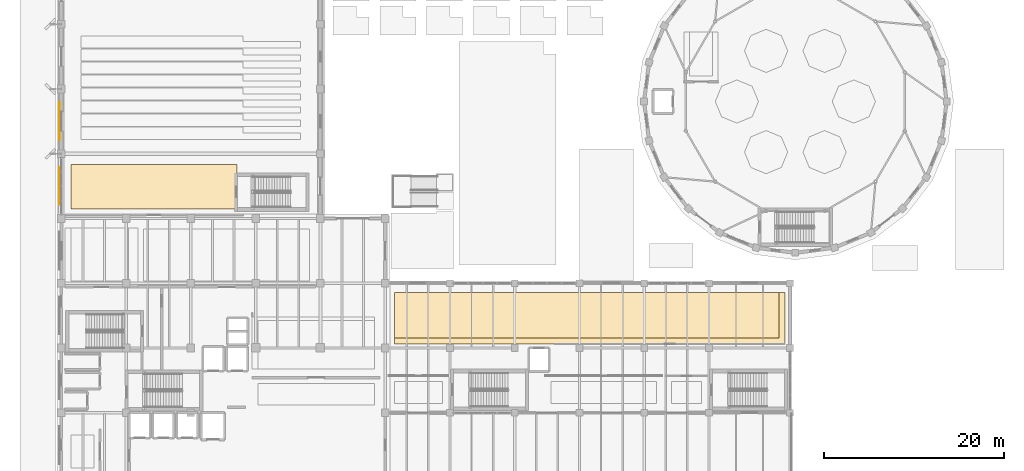
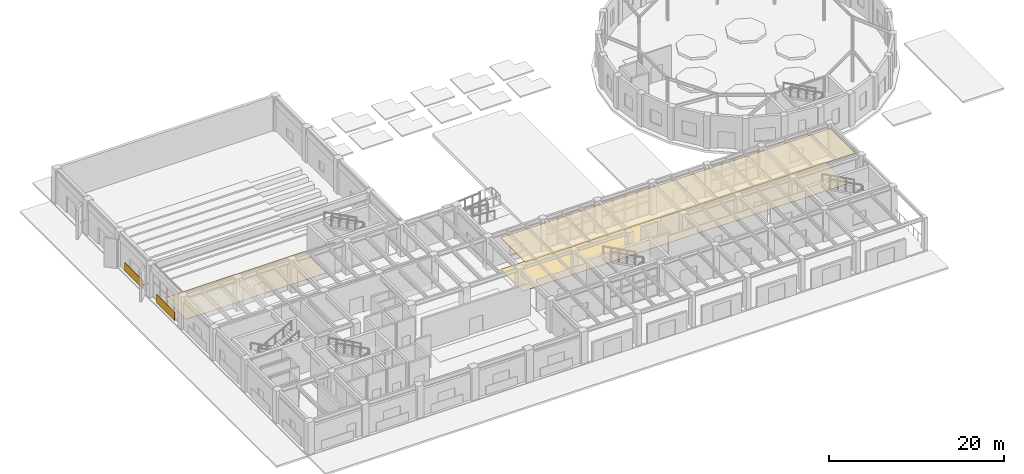
# One storey, part 36 of 39: 5 coverings.
"""IFC4 building model written with IfcOpenShell, lengths in metres."""

from ifc_helpers import new_model, si_unit, direction, frame, origin, origin_2d, place, context, subcontext, project, spatial, polyline, rectangle, outline, extrude, material, layer, layer_set, type_object, element, save


model = new_model("IFC4")

# Units and contexts
model_context = context("Model", 3, precision=1e-05, world=origin(), true_north=direction((0.0, 1.0)))
body_context = subcontext(model_context, "Body", "Model", "MODEL_VIEW")
ifc_project = project(units=[si_unit("LENGTHUNIT", "METRE"), si_unit("AREAUNIT", "SQUARE_METRE"), si_unit("VOLUMEUNIT", "CUBIC_METRE"), si_unit("PLANEANGLEUNIT", "RADIAN"), si_unit("MASSUNIT", "GRAM", prefix="KILO")], contexts=[model_context])

# Site, building, storey
site_placement = place(None, origin())
site = spatial("IfcSite", under=ifc_project, at=site_placement, CompositionType="ELEMENT")
building_placement = place(site_placement, origin())
building = spatial("IfcBuilding", under=site, at=building_placement, Name="Kandorven Conservatory and Botanical Research Centre", CompositionType="ELEMENT")
storey_placement = place(building_placement, origin())
storey = spatial("IfcBuildingStorey", under=building, at=storey_placement, Name="L00", CompositionType="ELEMENT", Elevation=0.0)

# Coverings
ifc_material_1 = material(Name="Dressed Dhrangadhra yellow sandstone cladding", Category="masonry")
ifc_layer_1 = layer(ifc_material_1, 0.044921875)
ifc_layer_set_1 = layer_set([ifc_layer_1], Name="Dressed Dhrangadhra yellow sandstone cladding")
covering_type_1 = type_object("IfcCoveringType", Name="Clad_Sandstone_1", PredefinedType="CLADDING", material=ifc_layer_set_1)
for number, where, z_axis, x_axis, name in (
    (1, (5.797607421875, 38.39990234375, 0.0), (0.0, 0.0, 1.0), (1.0, 0.0, 0.0), "Dhrangadhra sandstone plinth cladding panel W-05"),
    (2, (5.797607421875, 45.60009765625, 0.0), (0.0, 0.0, 1.0), (1.0, 0.0, 0.0), "Dhrangadhra sandstone plinth cladding panel W-06"),
):
    element("IfcCovering", number, at=place(storey_placement, frame(where, z_axis=z_axis, x_axis=x_axis)), inside=storey, type_object=covering_type_1, Name=name, PredefinedType="CLADDING", context=body_context, shape_type="SweptSolid", body=[
        extrude(rectangle(XDim=0.044921875, YDim=4.199951171875, at=origin_2d()), origin(), (0.0, 0.0, 1.0), 1.199951171875),
    ])
ifc_material_2 = material(Name="Perforated mineral-fibre acoustic ceiling tile", Category="gypsum")
ifc_layer_2 = layer(ifc_material_2, 0.0400390625)
ifc_layer_set_2 = layer_set([ifc_layer_2], Name="Perforated mineral-fibre acoustic ceiling tile")
covering_type_2 = type_object("IfcCoveringType", Name="Cov_Ceiling_1", PredefinedType="CEILING", material=ifc_layer_set_2)
covering_1_placement = place(storey_placement, frame((0.0, 0.0, 4.419921875)))
element("IfcCovering", 3, at=covering_1_placement, inside=storey, type_object=covering_type_2, Name="Suspended acoustic ceiling CLG-01 (Park Orientation Exhibition Gallery)", PredefinedType="CEILING", context=body_context, shape_type="SweptSolid", body=[
    extrude(outline(polyline([(43.050048828125, 20.85009765625), (86.449951171875, 20.85009765625), (86.449951171875, 26.550048828125), (43.050048828125, 26.550048828125), (43.050048828125, 20.85009765625)])), origin(), (0.0, 0.0, 1.0), 0.0400390625),
])
ifc_material_3 = material(Name="Honed Kota stone and epoxy laboratory flooring", Category="masonry")
ifc_layer_3 = layer(ifc_material_3, 0.02490234375)
ifc_layer_set_3 = layer_set([ifc_layer_3], Name="Honed Kota stone and epoxy laboratory flooring")
covering_type_3 = type_object("IfcCoveringType", Name="Cov_Flooring_1", PredefinedType="FLOORING", material=ifc_layer_set_3)
covering_2_placement = place(storey_placement, origin())
element("IfcCovering", 4, at=covering_2_placement, inside=storey, type_object=covering_type_3, Name="Floor finish FLR-01 (Park Orientation Exhibition Gallery)", PredefinedType="FLOORING", context=body_context, shape_type="SweptSolid", body=[
    extrude(outline(polyline([(43.050048828125, 21.5), (85.800048828125, 21.5), (85.800048828125, 26.550048828125), (43.050048828125, 26.550048828125), (43.050048828125, 21.5)])), origin(), (0.0, 0.0, 1.0), 0.02490234375),
])
covering_3_placement = place(storey_placement, origin())
element("IfcCovering", 5, at=covering_3_placement, inside=storey, type_object=covering_type_3, Name="Floor finish FLR-01 (Auditorium Acoustic Foyer)", PredefinedType="FLOORING", context=body_context, shape_type="SweptSolid", body=[
    extrude(outline(polyline([(7.050048828125, 35.85009765625), (25.550048828125, 35.85009765625), (25.550048828125, 40.800048828125), (7.050048828125, 40.800048828125), (7.050048828125, 35.85009765625)])), origin(), (0.0, 0.0, 1.0), 0.02490234375),
])

save(model, "model.ifc")
